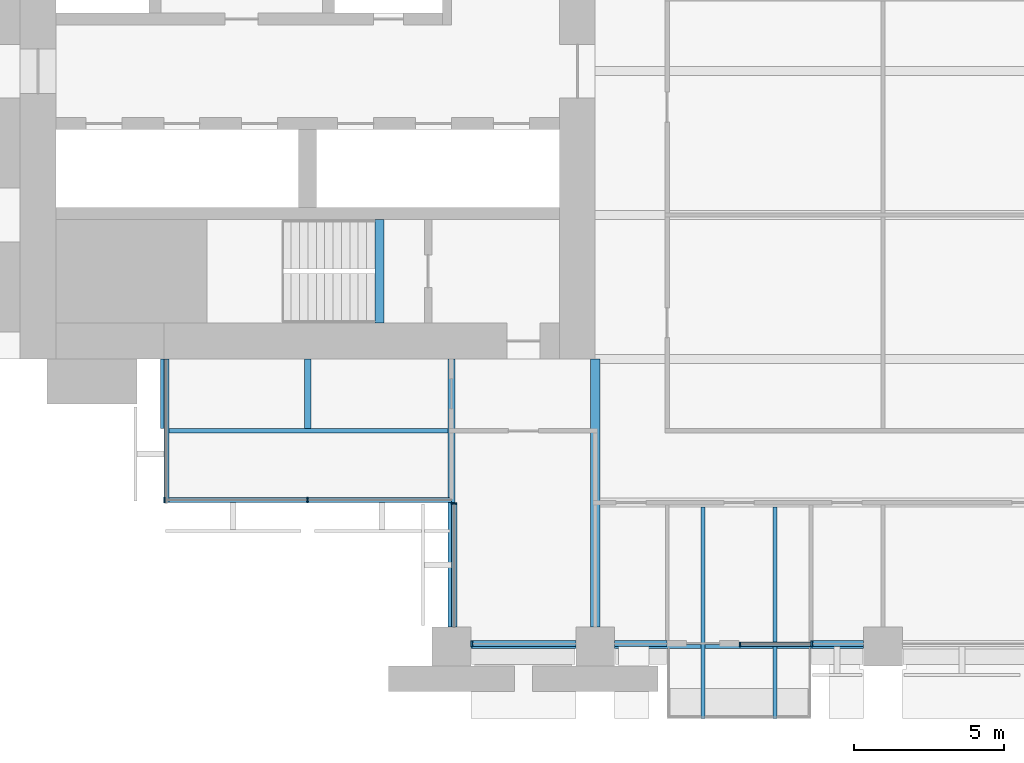
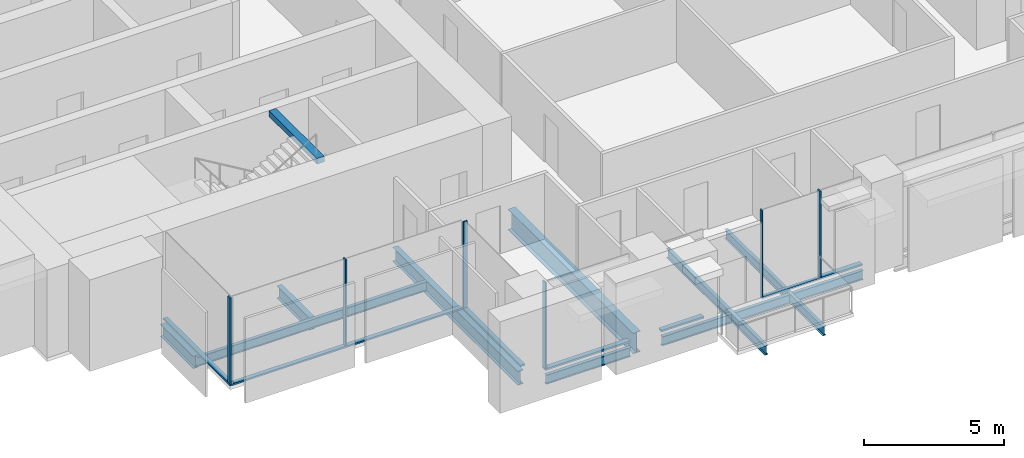
# One storey, part 2 of 15: 13 members, 12 beams, 6 elements without a shape of their own.
"""IFC4 building model written with IfcOpenShell, lengths in metres."""

import ifcopenshell
import ifcopenshell.guid

model = None  # the IFC model being written
_history = None  # IfcOwnerHistory: only IFC2X3 demands one
_inside = {}  # id of a spatial element -> (the spatial element, [elements in it])
_under = {}  # id of a project, library or spatial element -> (it, [spatial elements below it])
_declared = {}  # id of a project -> (the project, [libraries it declares])
_typed = {}  # id of a type object -> (the type object, [elements of that type])
_made_of = {}  # id of a material, layer set ... -> (it, [elements and type objects made of it])


def new_model(schema):
    """Start an empty IFC model of exactly this schema.

    Asked for "IFC4X3", IfcOpenShell would pick the latest addendum, in which some entities
    have other attributes; the version numbers below select the first issue.
    IFC2X3 requires an IfcOwnerHistory on every rooted entity: one is made here for all.
    """
    global model, _history
    if schema == "IFC4X3":
        model = ifcopenshell.file(schema_version=(4, 3, 0, 0))
    else:
        model = ifcopenshell.file(schema=schema)
    _inside.clear()
    _under.clear()
    _declared.clear()
    _typed.clear()
    _made_of.clear()
    _history = None
    if model.schema == "IFC2X3":
        org = make("IfcOrganization", Name="unknown")
        user = make(
            "IfcPersonAndOrganization",
            ThePerson=make("IfcPerson", FamilyName="unknown"),
            TheOrganization=org,
        )
        app = make(
            "IfcApplication",
            ApplicationDeveloper=org,
            Version="unknown",
            ApplicationFullName="unknown",
            ApplicationIdentifier="unknown",
        )
        _history = make(
            "IfcOwnerHistory",
            OwningUser=user,
            OwningApplication=app,
            ChangeAction="ADDED",
            CreationDate=0,
        )
    return model


def make(cls, **values):
    """One entity of the class cls with the attributes given. An attribute that is None is left unset."""
    return model.create_entity(
        cls, **{name: value for name, value in values.items() if value is not None}
    )


def rooted(cls, **values):
    """An entity with a GlobalId (a new one), such as an element, a storey or a relation."""
    return make(cls, GlobalId=ifcopenshell.guid.new(), OwnerHistory=_history, **values)


def si_unit(unit_type, name, prefix=None):
    """IfcSIUnit, for example si_unit("LENGTHUNIT", "METRE", prefix="MILLI")."""
    return make("IfcSIUnit", UnitType=unit_type, Prefix=prefix, Name=name)


def assignment(units):
    """IfcUnitAssignment: the units of a project."""
    return None if units is None else make("IfcUnitAssignment", Units=units)


def point(xyz):
    """IfcCartesianPoint."""
    return None if xyz is None else make("IfcCartesianPoint", Coordinates=xyz)


def direction(xyz):
    """IfcDirection."""
    return None if xyz is None else make("IfcDirection", DirectionRatios=xyz)


def frame(location, z_axis=None, x_axis=None):
    """IfcAxis2Placement3D, a coordinate frame: its origin and axes. An axis left out is left unset."""
    return make(
        "IfcAxis2Placement3D",
        Location=point(location),
        Axis=direction(z_axis),
        RefDirection=direction(x_axis),
    )


def frame_2d(location, x_axis=None):
    """IfcAxis2Placement2D, a coordinate frame in the plane: its origin and x axis."""
    return make(
        "IfcAxis2Placement2D", Location=point(location), RefDirection=direction(x_axis)
    )


def origin():
    """The frame at (0, 0, 0) with its axes left unset."""
    return frame((0.0, 0.0, 0.0))


def origin_2d():
    """The frame at (0, 0) in the plane with its x axis left unset."""
    return frame_2d((0.0, 0.0))


def place(relative_to, where):
    """IfcLocalPlacement: puts the frame where relative to a parent placement (None: the world)."""
    return make(
        "IfcLocalPlacement", PlacementRelTo=relative_to, RelativePlacement=where
    )


def context(
    kind, dimensions, precision=None, world=None, true_north=None, identifier=None
):
    """IfcGeometricRepresentationContext, for example the 3D "Model" context."""
    return make(
        "IfcGeometricRepresentationContext",
        ContextIdentifier=identifier,
        ContextType=kind,
        CoordinateSpaceDimension=dimensions,
        Precision=precision,
        WorldCoordinateSystem=world,
        TrueNorth=true_north,
    )


def subcontext(parent, identifier, kind, view, scale=None):
    """IfcGeometricRepresentationSubContext, for example "Body" below "Model"."""
    return make(
        "IfcGeometricRepresentationSubContext",
        ContextIdentifier=identifier,
        ContextType=kind,
        ParentContext=parent,
        TargetScale=scale,
        TargetView=view,
    )


def project(units=None, contexts=None):
    """IfcProject with its units and contexts."""
    return rooted(
        "IfcProject",
        Name="project",
        RepresentationContexts=contexts,
        UnitsInContext=assignment(units),
    )


def spatial(cls, under=None, at=None, **own):
    """A site, building, storey or space (cls), placed at a placement, below another one or the project."""
    s = rooted(cls, ObjectPlacement=at, **own)
    if under is not None:
        _under.setdefault(under.id(), (under, []))[1].append(s)
    return s


def profile(cls, at=None, kind="AREA", **sizes):
    """A parametric profile (cls). Its sizes go by their IFC names, for example OverallWidth=200.0."""
    return make(cls, ProfileType=kind, Position=at, **sizes)


def rectangle(**sizes):
    """IfcRectangleProfileDef."""
    return profile("IfcRectangleProfileDef", **sizes)


def i_section(**sizes):
    """IfcIShapeProfileDef."""
    return profile("IfcIShapeProfileDef", **sizes)


def extrude(swept, where, along, depth):
    """IfcExtrudedAreaSolid: the profile swept, set in the frame where, extruded along a direction by depth."""
    return make(
        "IfcExtrudedAreaSolid",
        SweptArea=swept,
        Position=where,
        ExtrudedDirection=direction(along),
        Depth=depth,
    )


def shape(context_of_items, identifier, shape_type, items):
    """IfcShapeRepresentation: the items that make up one representation, for example the "Body"."""
    return make(
        "IfcShapeRepresentation",
        ContextOfItems=context_of_items,
        RepresentationIdentifier=identifier,
        RepresentationType=shape_type,
        Items=items,
    )


def material(Name=None, Category=None):
    """IfcMaterial."""
    return make("IfcMaterial", Name=Name, Category=Category)


def material_profile(
    of_material, cross_section, Name=None, Category=None, Priority=None
):
    """IfcMaterialProfile: a cross section and its material."""
    return make(
        "IfcMaterialProfile",
        Name=Name,
        Material=of_material,
        Profile=cross_section,
        Priority=Priority,
        Category=Category,
    )


def profile_set(profiles, Name=None, composite=None):
    """IfcMaterialProfileSet."""
    return make(
        "IfcMaterialProfileSet",
        Name=Name,
        MaterialProfiles=profiles,
        CompositeProfile=composite,
    )


def made_of(thing, what):
    """Note that an element or type object is made of a material, layer set ...; save() writes the relation."""
    if what is not None:
        _made_of.setdefault(what.id(), (what, []))[1].append(thing)
    return thing


def type_object(cls, material=None, **own):
    """A type object (cls), such as IfcWallType, which elements share."""
    return made_of(rooted(cls, **own), material)


def element(
    cls,
    number,
    at=None,
    inside=None,
    cuts=None,
    type_object=None,
    material=None,
    context=None,
    identifier="Body",
    shape_type=None,
    held_by="IfcProductDefinitionShape",
    body=None,
    shapes=None,
    **own,
):
    """One element of the class cls, such as IfcWall. Its Tag is "e" and its number.

    at: its placement. inside: the storey or other place that contains it. cuts: it is an
    opening in that element (IfcRelVoidsElement). A single representation is given by context,
    identifier, shape_type and body (its items); several are given by shapes. held_by: the class
    of the entity that holds the representations. save() writes the other relations.
    """
    e = rooted(cls, Tag="e%d" % number, ObjectPlacement=at, **own)
    if body is not None:
        shapes = [shape(context, identifier, shape_type, body)]
    if shapes is not None:
        e.Representation = make(held_by, Representations=shapes)
    if inside is not None:
        _inside.setdefault(inside.id(), (inside, []))[1].append(e)
    if cuts is not None:
        rooted(
            "IfcRelVoidsElement", RelatingBuildingElement=cuts, RelatedOpeningElement=e
        )
    if type_object is not None:
        _typed.setdefault(type_object.id(), (type_object, []))[1].append(e)
    return made_of(e, material)


def aggregate(whole, parts):
    """IfcRelAggregates: a whole, such as a stair, and the parts it consists of."""
    return rooted("IfcRelAggregates", RelatingObject=whole, RelatedObjects=parts)


def save(model, path):
    """Write the relations noted so far, then the file.

    IfcRelAggregates (storeys below a building ...), IfcRelContainedInSpatialStructure (elements
    in a storey), IfcRelDefinesByType, IfcRelAssociatesMaterial and IfcRelDeclares: one each for
    every whole, place, type object, material and project.
    """
    for whole, parts in _under.values():
        aggregate(whole, parts)
    for where, things in _inside.values():
        rooted(
            "IfcRelContainedInSpatialStructure",
            RelatedElements=things,
            RelatingStructure=where,
        )
    for kind, things in _typed.values():
        rooted("IfcRelDefinesByType", RelatedObjects=things, RelatingType=kind)
    for what, things in _made_of.values():
        rooted("IfcRelAssociatesMaterial", RelatedObjects=things, RelatingMaterial=what)
    for by, libraries in _declared.values():
        rooted("IfcRelDeclares", RelatingContext=by, RelatedDefinitions=libraries)
    model.write(path)


model = new_model("IFC4")

# Units and contexts
model_context = context("Model", 3, precision=1e-05, world=origin(), true_north=direction((0.0, 1.0)))
body_context = subcontext(model_context, "Body", "Model", "MODEL_VIEW")
ifc_project = project(units=[si_unit("LENGTHUNIT", "METRE"), si_unit("AREAUNIT", "SQUARE_METRE"), si_unit("VOLUMEUNIT", "CUBIC_METRE"), si_unit("PLANEANGLEUNIT", "RADIAN"), si_unit("MASSUNIT", "GRAM", prefix="KILO")], contexts=[model_context])

# Site, building, storey
site_placement = place(None, origin())
site = spatial("IfcSite", under=ifc_project, at=site_placement, CompositionType="ELEMENT")
building_placement = place(site_placement, origin())
building = spatial("IfcBuilding", under=site, at=building_placement, Name="Baori Bourse Tower", CompositionType="ELEMENT")
storey_placement = place(building_placement, frame((0.0, 0.0, 71.0)))
storey = spatial("IfcBuildingStorey", under=building, at=storey_placement, Name="L15", CompositionType="ELEMENT", Elevation=71.0)

# Beams
ifc_material_1 = material(Name="Steel A992 Gr 50", Category="steel")
ifc_material_profile_1 = material_profile(ifc_material_1, i_section(OverallWidth=0.140380859375, OverallDepth=0.40380859375, WebThickness=0.007080078125, FlangeThickness=0.01123046875, at=origin_2d()), Name="W16x31")
ifc_profile_set_1 = profile_set([ifc_material_profile_1], Name="Steel A992 Gr 50")
beam_type_1 = type_object("IfcBeamType", Name="Balcony beam W16x31", PredefinedType="BEAM", material=ifc_profile_set_1)
for number, where, z_axis, x_axis, name in (
    (1, (22.800048828125, -2.39990234375, -0.36181640625), (0.0, 1.0, 0.0), (-1.0, 0.0, 0.0), "Balcony beam L15"),
    (2, (25.199951171875, -2.39990234375, -0.36181640625), (0.0, 1.0, 0.0), (-1.0, 0.0, 0.0), "Balcony beam L15"),
):
    element("IfcBeam", number, at=place(storey_placement, frame(where, z_axis=z_axis, x_axis=x_axis)), inside=storey, type_object=beam_type_1, Name=name, PredefinedType="BEAM", context=body_context, shape_type="SweptSolid", body=[
        extrude(i_section(OverallWidth=0.140380859375, OverallDepth=0.40380859375, WebThickness=0.007080078125, FlangeThickness=0.01123046875, at=origin_2d()), origin(), (0.0, 0.0, 1.0), 7.050048828125),
    ])

# Curtain wall, member
ifc_material_2 = material(Name="Pale anodised aluminium", Category="aluminium")
curtain_wall_type_1 = type_object("IfcCurtainWallType", Name="CW1 Curtain wall", PredefinedType="NOTDEFINED", material=ifc_material_2)
curtain_wall_1_placement = place(storey_placement, origin())
curtain_wall_1 = element("IfcCurtainWall", 3, at=curtain_wall_1_placement, inside=storey, type_object=curtain_wall_type_1, Name="Curtain wall CW1 L15 13", PredefinedType="NOTDEFINED")
ifc_material_3 = material(Name="Pale anodised aluminium", Category="aluminium")
ifc_material_profile_2 = material_profile(ifc_material_3, rectangle(XDim=0.199951171875, YDim=0.06005859375, at=origin_2d()), Name="Mullion 60x200")
ifc_profile_set_2 = profile_set([ifc_material_profile_2], Name="Pale anodised aluminium")
member_type_1 = type_object("IfcMemberType", Name="CW1 Curtain wall mullion", PredefinedType="MULLION", material=ifc_profile_set_2)
member_1_placement = place(storey_placement, frame((15.080078125, 0.10009765625, 0.080078125), z_axis=(0.0, 0.0, 1.0), x_axis=(0.0, 1.0, 0.0)))
member_1 = element("IfcMember", 4, at=member_1_placement, type_object=member_type_1, Name="Curtain wall CW1 mullion", PredefinedType="MULLION", context=body_context, shape_type="SweptSolid", body=[
    extrude(rectangle(XDim=0.199951171875, YDim=0.06005859375, at=origin_2d()), origin(), (0.0, 0.0, 1.0), 3.760009765625),
])

curtain_wall_2_placement = place(storey_placement, origin())
curtain_wall_2 = element("IfcCurtainWall", 5, at=curtain_wall_2_placement, inside=storey, type_object=curtain_wall_type_1, Name="Curtain wall CW1 L15 15", PredefinedType="NOTDEFINED")
member_2_placement = place(storey_placement, frame((26.429931640625, 0.10009765625, 0.080078125), z_axis=(0.0, 0.0, 1.0), x_axis=(0.0, 1.0, 0.0)))
member_2 = element("IfcMember", 6, at=member_2_placement, type_object=member_type_1, Name="Curtain wall CW1 mullion", PredefinedType="MULLION", context=body_context, shape_type="SweptSolid", body=[
    extrude(rectangle(XDim=0.199951171875, YDim=0.06005859375, at=origin_2d()), origin(), (0.0, 0.0, 1.0), 3.760009765625),
])

# Member
ifc_material_4 = material(Name="Pale anodised aluminium", Category="aluminium")
ifc_material_profile_3 = material_profile(ifc_material_4, rectangle(XDim=0.199951171875, YDim=0.080078125, at=origin_2d()), Name="Transom 80x200")
ifc_profile_set_3 = profile_set([ifc_material_profile_3], Name="Pale anodised aluminium")
member_type_2 = type_object("IfcMemberType", Name="CW1 Curtain wall transom", PredefinedType="USERDEFINED", material=ifc_profile_set_3)
member_3_placement = place(storey_placement, frame((15.050048828125, 0.10009765625, 0.0400390625), z_axis=(1.0, 0.0, 0.0), x_axis=(0.0, 1.0, 0.0)))
member_3 = element("IfcMember", 7, at=member_3_placement, type_object=member_type_2, Name="Curtain wall CW1 sill rail", ObjectType="TRANSOM", PredefinedType="USERDEFINED", context=body_context, shape_type="SweptSolid", body=[
    extrude(rectangle(XDim=0.199951171875, YDim=0.080078125, at=origin_2d()), origin(), (0.0, 0.0, 1.0), 3.5),
])

member_4_placement = place(storey_placement, frame((19.85009765625, 0.10009765625, 0.0400390625), z_axis=(1.0, 0.0, 0.0), x_axis=(0.0, 1.0, 0.0)))
member_4 = element("IfcMember", 8, at=member_4_placement, type_object=member_type_2, Name="Curtain wall CW1 sill rail", ObjectType="TRANSOM", PredefinedType="USERDEFINED", context=body_context, shape_type="SweptSolid", body=[
    extrude(rectangle(XDim=0.199951171875, YDim=0.080078125, at=origin_2d()), origin(), (0.0, 0.0, 1.0), 1.75),
])

aggregate(curtain_wall_1, [member_3, member_1, member_4])

member_5_placement = place(storey_placement, frame((26.39990234375, 0.10009765625, 0.0400390625), z_axis=(1.0, 0.0, 0.0), x_axis=(0.0, 1.0, 0.0)))
member_5 = element("IfcMember", 9, at=member_5_placement, type_object=member_type_2, Name="Curtain wall CW1 sill rail", ObjectType="TRANSOM", PredefinedType="USERDEFINED", context=body_context, shape_type="SweptSolid", body=[
    extrude(rectangle(XDim=0.199951171875, YDim=0.080078125, at=origin_2d()), origin(), (0.0, 0.0, 1.0), 1.75),
])

aggregate(curtain_wall_2, [member_5, member_2])

# Curtain wall, members
ifc_material_5 = material(Name="Pale anodised aluminium", Category="aluminium")
curtain_wall_type_2 = type_object("IfcCurtainWallType", Name="CW2 Curtain wall", PredefinedType="NOTDEFINED", material=ifc_material_5)
curtain_wall_3_placement = place(storey_placement, origin())
curtain_wall_3 = element("IfcCurtainWall", 10, at=curtain_wall_3_placement, inside=storey, type_object=curtain_wall_type_2, Name="Curtain wall CW2 L15 11", PredefinedType="NOTDEFINED")
ifc_material_6 = material(Name="Pale anodised aluminium", Category="aluminium")
ifc_material_profile_4 = material_profile(ifc_material_6, rectangle(XDim=0.179931640625, YDim=0.054931640625, at=origin_2d()), Name="Mullion 55x180")
ifc_profile_set_4 = profile_set([ifc_material_profile_4], Name="Pale anodised aluminium")
member_type_3 = type_object("IfcMemberType", Name="CW2 Curtain wall mullion", PredefinedType="MULLION", material=ifc_profile_set_4)
member_6_placement = place(storey_placement, frame((4.827392578125, 4.889892578125, 0.070068359375), z_axis=(0.0, 0.0, 1.0), x_axis=(0.0, 1.0, 0.0)))
member_6 = element("IfcMember", 11, at=member_6_placement, type_object=member_type_3, Name="Curtain wall CW2 mullion", PredefinedType="MULLION", context=body_context, shape_type="SweptSolid", body=[
    extrude(rectangle(XDim=0.179931640625, YDim=0.054931640625, at=origin_2d()), origin(), (0.0, 0.0, 1.0), 3.77001953125),
])
member_7_placement = place(storey_placement, frame((9.60009765625, 4.889892578125, 0.070068359375), z_axis=(0.0, 0.0, 1.0), x_axis=(0.0, 1.0, 0.0)))
member_7 = element("IfcMember", 12, at=member_7_placement, type_object=member_type_3, Name="Curtain wall CW2 mullion", PredefinedType="MULLION", context=body_context, shape_type="SweptSolid", body=[
    extrude(rectangle(XDim=0.179931640625, YDim=0.054931640625, at=origin_2d()), origin(), (0.0, 0.0, 1.0), 3.77001953125),
])

# Curtain wall, member
curtain_wall_4_placement = place(storey_placement, origin())
curtain_wall_4 = element("IfcCurtainWall", 13, at=curtain_wall_4_placement, inside=storey, type_object=curtain_wall_type_2, Name="Curtain wall CW2 L15 12", PredefinedType="NOTDEFINED")
member_8_placement = place(storey_placement, frame((14.489990234375, 4.7724609375, 0.070068359375), z_axis=(0.0, 0.0, 1.0), x_axis=(1.0, 0.0, 0.0)))
member_8 = element("IfcMember", 14, at=member_8_placement, type_object=member_type_3, Name="Curtain wall CW2 mullion", PredefinedType="MULLION", context=body_context, shape_type="SweptSolid", body=[
    extrude(rectangle(XDim=0.179931640625, YDim=0.054931640625, at=origin_2d()), origin(), (0.0, 0.0, 1.0), 3.77001953125),
])

curtain_wall_5_placement = place(storey_placement, origin())
curtain_wall_5 = element("IfcCurtainWall", 15, at=curtain_wall_5_placement, inside=storey, type_object=curtain_wall_type_2, Name="Curtain wall CW2 L15 10", PredefinedType="NOTDEFINED")
ifc_material_7 = material(Name="Pale anodised aluminium", Category="aluminium")
ifc_material_profile_5 = material_profile(ifc_material_7, rectangle(XDim=0.179931640625, YDim=0.070068359375, at=origin_2d()), Name="Transom 70x180")
ifc_profile_set_5 = profile_set([ifc_material_profile_5], Name="Pale anodised aluminium")
member_type_4 = type_object("IfcMemberType", Name="CW2 Curtain wall transom", PredefinedType="USERDEFINED", material=ifc_profile_set_5)
member_9_placement = place(storey_placement, frame((4.889892578125, 9.60009765625, 0.034912109375), z_axis=(0.0, -1.0, 0.0), x_axis=(1.0, 0.0, 0.0)))
member_9 = element("IfcMember", 16, at=member_9_placement, type_object=member_type_4, Name="Curtain wall CW2 sill rail", ObjectType="TRANSOM", PredefinedType="USERDEFINED", context=body_context, shape_type="SweptSolid", body=[
    extrude(rectangle(XDim=0.179931640625, YDim=0.070068359375, at=origin_2d()), origin(), (0.0, 0.0, 1.0), 4.800048828125),
])
aggregate(curtain_wall_5, [member_9])

# Member
member_10_placement = place(storey_placement, frame((4.800048828125, 4.889892578125, 0.034912109375), z_axis=(1.0, 0.0, 0.0), x_axis=(0.0, 1.0, 0.0)))
member_10 = element("IfcMember", 17, at=member_10_placement, type_object=member_type_4, Name="Curtain wall CW2 sill rail", ObjectType="TRANSOM", PredefinedType="USERDEFINED", context=body_context, shape_type="SweptSolid", body=[
    extrude(rectangle(XDim=0.179931640625, YDim=0.070068359375, at=origin_2d()), origin(), (0.0, 0.0, 1.0), 9.599853515625),
])

aggregate(curtain_wall_3, [member_10, member_6, member_7])

member_11_placement = place(storey_placement, frame((14.489990234375, 4.800048828125, 0.034912109375), z_axis=(0.0, -1.0, 0.0), x_axis=(1.0, 0.0, 0.0)))
member_11 = element("IfcMember", 18, at=member_11_placement, type_object=member_type_4, Name="Curtain wall CW2 sill rail", ObjectType="TRANSOM", PredefinedType="USERDEFINED", context=body_context, shape_type="SweptSolid", body=[
    extrude(rectangle(XDim=0.179931640625, YDim=0.070068359375, at=origin_2d()), origin(), (0.0, 0.0, 1.0), 4.150146484375),
])

aggregate(curtain_wall_4, [member_11, member_8])

# Curtain wall, members
ifc_material_8 = material(Name="Pale anodised aluminium", Category="aluminium")
curtain_wall_type_3 = type_object("IfcCurtainWallType", Name="CW6 Curtain wall", PredefinedType="NOTDEFINED", material=ifc_material_8)
curtain_wall_6_placement = place(storey_placement, origin())
curtain_wall_6 = element("IfcCurtainWall", 19, at=curtain_wall_6_placement, inside=storey, type_object=curtain_wall_type_3, Name="Curtain wall CW6 L15 14", PredefinedType="NOTDEFINED")
ifc_material_9 = material(Name="Pale anodised aluminium", Category="aluminium")
ifc_material_profile_6 = material_profile(ifc_material_9, rectangle(XDim=0.14990234375, YDim=0.050048828125, at=origin_2d()), Name="Mullion 50x150")
ifc_profile_set_6 = profile_set([ifc_material_profile_6], Name="Pale anodised aluminium")
member_type_5 = type_object("IfcMemberType", Name="CW6 Curtain wall mullion", PredefinedType="MULLION", material=ifc_profile_set_6)
member_12_placement = place(storey_placement, frame((24.02490234375, 0.074951171875, 0.06494140625), z_axis=(0.0, 0.0, 1.0), x_axis=(0.0, 1.0, 0.0)))
member_12 = element("IfcMember", 20, at=member_12_placement, type_object=member_type_5, Name="Curtain wall CW6 mullion", PredefinedType="MULLION", context=body_context, shape_type="SweptSolid", body=[
    extrude(rectangle(XDim=0.14990234375, YDim=0.050048828125, at=origin_2d()), origin(), (0.0, 0.0, 1.0), 3.775146484375),
])
ifc_material_10 = material(Name="Pale anodised aluminium", Category="aluminium")
ifc_material_profile_7 = material_profile(ifc_material_10, rectangle(XDim=0.14990234375, YDim=0.06494140625, at=origin_2d()), Name="Transom 65x150")
ifc_profile_set_7 = profile_set([ifc_material_profile_7], Name="Pale anodised aluminium")
member_type_6 = type_object("IfcMemberType", Name="CW6 Curtain wall transom", PredefinedType="USERDEFINED", material=ifc_profile_set_7)
member_13_placement = place(storey_placement, frame((24.0, 0.074951171875, 0.032470703125), z_axis=(1.0, 0.0, 0.0), x_axis=(0.0, 1.0, 0.0)))
member_13 = element("IfcMember", 21, at=member_13_placement, type_object=member_type_6, Name="Curtain wall CW6 sill rail", ObjectType="TRANSOM", PredefinedType="USERDEFINED", context=body_context, shape_type="SweptSolid", body=[
    extrude(rectangle(XDim=0.14990234375, YDim=0.06494140625, at=origin_2d()), origin(), (0.0, 0.0, 1.0), 2.39990234375),
])
aggregate(curtain_wall_6, [member_13, member_12])

# Beams
ifc_material_11 = material(Name="Steel A992 Gr 50", Category="steel")
ifc_material_profile_8 = material_profile(ifc_material_11, i_section(OverallWidth=0.21240234375, OverallDepth=0.54345703125, WebThickness=0.01318359375, FlangeThickness=0.021240234375, at=origin_2d()), Name="W21x83")
ifc_profile_set_8 = profile_set([ifc_material_profile_8], Name="Steel A992 Gr 50")
beam_type_2 = type_object("IfcBeamType", Name="Core bracket W21x83", PredefinedType="BEAM", material=ifc_profile_set_8)
for number, where, z_axis, x_axis, name in (
    (22, (4.800048828125, 7.270263671875, -0.431884765625), (0.0, 1.0, 0.0), (-1.0, 0.0, 0.0), "Core bracket L15"),
    (23, (9.60009765625, 7.270263671875, -0.431884765625), (0.0, 1.0, 0.0), (-1.0, 0.0, 0.0), "Core bracket L15"),
):
    element("IfcBeam", number, at=place(storey_placement, frame(where, z_axis=z_axis, x_axis=x_axis)), inside=storey, type_object=beam_type_2, Name=name, PredefinedType="BEAM", context=body_context, shape_type="SweptSolid", body=[
        extrude(i_section(OverallWidth=0.21240234375, OverallDepth=0.54345703125, WebThickness=0.01318359375, FlangeThickness=0.021240234375, at=origin_2d()), origin(), (0.0, 0.0, 1.0), 2.329833984375),
    ])
ifc_material_12 = material(Name="Steel A992 Gr 50", Category="steel")
ifc_material_profile_9 = material_profile(ifc_material_12, i_section(OverallWidth=0.140380859375, OverallDepth=0.40380859375, WebThickness=0.007080078125, FlangeThickness=0.01123046875, at=origin_2d()), Name="W16x31")
ifc_profile_set_9 = profile_set([ifc_material_profile_9], Name="Steel A992 Gr 50")
beam_type_3 = type_object("IfcBeamType", Name="Edge beam W16x31", PredefinedType="BEAM", material=ifc_profile_set_9)
beam_1_placement = place(storey_placement, frame((15.050048828125, 0.0, -0.36181640625), z_axis=(1.0, 0.0, 0.0), x_axis=(0.0, 1.0, 0.0)))
element("IfcBeam", 24, at=beam_1_placement, inside=storey, type_object=beam_type_3, Name="Edge beam L15", PredefinedType="BEAM", context=body_context, shape_type="SweptSolid", body=[
    extrude(i_section(OverallWidth=0.140380859375, OverallDepth=0.40380859375, WebThickness=0.007080078125, FlangeThickness=0.01123046875, at=origin_2d()), origin(), (0.0, 0.0, 1.0), 3.5),
])
beam_2_placement = place(storey_placement, frame((19.85009765625, 0.0, -0.36181640625), z_axis=(1.0, 0.0, 0.0), x_axis=(0.0, 1.0, 0.0)))
element("IfcBeam", 25, at=beam_2_placement, inside=storey, type_object=beam_type_3, Name="Edge beam L15", PredefinedType="BEAM", context=body_context, shape_type="SweptSolid", body=[
    extrude(i_section(OverallWidth=0.140380859375, OverallDepth=0.40380859375, WebThickness=0.007080078125, FlangeThickness=0.01123046875, at=origin_2d()), origin(), (0.0, 0.0, 1.0), 2.879638671875),
])
beam_3_placement = place(storey_placement, frame((22.8701171875, 0.0, -0.36181640625), z_axis=(1.0, 0.0, 0.0), x_axis=(0.0, 1.0, 0.0)))
element("IfcBeam", 26, at=beam_3_placement, inside=storey, type_object=beam_type_3, Name="Edge beam L15", PredefinedType="BEAM", context=body_context, shape_type="SweptSolid", body=[
    extrude(i_section(OverallWidth=0.140380859375, OverallDepth=0.40380859375, WebThickness=0.007080078125, FlangeThickness=0.01123046875, at=origin_2d()), origin(), (0.0, 0.0, 1.0), 2.259765625),
])
beam_4_placement = place(storey_placement, frame((25.270263671875, 0.0, -0.36181640625), z_axis=(1.0, 0.0, 0.0), x_axis=(0.0, 1.0, 0.0)))
element("IfcBeam", 27, at=beam_4_placement, inside=storey, type_object=beam_type_3, Name="Edge beam L15", PredefinedType="BEAM", context=body_context, shape_type="SweptSolid", body=[
    extrude(i_section(OverallWidth=0.140380859375, OverallDepth=0.40380859375, WebThickness=0.007080078125, FlangeThickness=0.01123046875, at=origin_2d()), origin(), (0.0, 0.0, 1.0), 2.879638671875),
])
ifc_material_13 = material(Name="Steel A992 Gr 50", Category="steel")
ifc_material_profile_10 = material_profile(ifc_material_13, i_section(OverallWidth=0.22900390625, OverallDepth=0.612060546875, WebThickness=0.011962890625, FlangeThickness=0.01953125, at=origin_2d()), Name="W24x84")
ifc_profile_set_10 = profile_set([ifc_material_profile_10], Name="Steel A992 Gr 50")
beam_type_4 = type_object("IfcBeamType", Name="Floor beam W24x84", PredefinedType="BEAM", material=ifc_profile_set_10)
beam_5_placement = place(storey_placement, frame((14.39990234375, 0.64990234375, -0.466064453125), z_axis=(0.0, 1.0, 0.0), x_axis=(-1.0, 0.0, 0.0)))
element("IfcBeam", 28, at=beam_5_placement, inside=storey, type_object=beam_type_4, Name="Floor beam L15", PredefinedType="BEAM", context=body_context, shape_type="SweptSolid", body=[
    extrude(i_section(OverallWidth=0.22900390625, OverallDepth=0.612060546875, WebThickness=0.011962890625, FlangeThickness=0.01953125, at=origin_2d()), origin(), (0.0, 0.0, 1.0), 8.9501953125),
])
ifc_material_14 = material(Name="Steel A992 Gr 50", Category="steel")
ifc_material_profile_11 = material_profile(ifc_material_14, i_section(OverallWidth=0.3046875, OverallDepth=0.904296875, WebThickness=0.01513671875, FlangeThickness=0.02001953125, at=origin_2d()), Name="W36x135")
ifc_profile_set_11 = profile_set([ifc_material_profile_11], Name="Steel A992 Gr 50")
beam_type_5 = type_object("IfcBeamType", Name="Girder W36x135", PredefinedType="BEAM", material=ifc_profile_set_11)
beam_6_placement = place(storey_placement, frame((19.199951171875, 0.64990234375, -0.612060546875), z_axis=(0.0, 1.0, 0.0), x_axis=(-1.0, 0.0, 0.0)))
element("IfcBeam", 29, at=beam_6_placement, inside=storey, type_object=beam_type_5, Name="Girder L15", PredefinedType="BEAM", context=body_context, shape_type="SweptSolid", body=[
    extrude(i_section(OverallWidth=0.3046875, OverallDepth=0.904296875, WebThickness=0.01513671875, FlangeThickness=0.02001953125, at=origin_2d()), origin(), (0.0, 0.0, 1.0), 8.9501953125),
])
ifc_material_15 = material(Name="Concrete f'c 50 MPa", Category="concrete")
ifc_material_profile_12 = material_profile(ifc_material_15, rectangle(XDim=0.300048828125, YDim=0.25, at=origin_2d()), Name="RC 300x250")
ifc_profile_set_12 = profile_set([ifc_material_profile_12], Name="Concrete f'c 50 MPa")
beam_type_6 = type_object("IfcBeamType", Name="Stair nib beam RC 300x250", PredefinedType="BEAM", material=ifc_profile_set_12)
beam_7_placement = place(storey_placement, frame((12.0, 10.800048828125, 3.715087890625), z_axis=(0.0, 1.0, 0.0), x_axis=(-1.0, 0.0, 0.0)))
element("IfcBeam", 30, at=beam_7_placement, inside=storey, type_object=beam_type_6, Name="Stair WA nib beam L16", PredefinedType="BEAM", context=body_context, shape_type="SweptSolid", body=[
    extrude(rectangle(XDim=0.300048828125, YDim=0.25, at=origin_2d()), origin(), (0.0, 0.0, 1.0), 3.449951171875),
])
ifc_material_16 = material(Name="Steel A992 Gr 50", Category="steel")
ifc_material_profile_13 = material_profile(ifc_material_16, i_section(OverallWidth=0.140380859375, OverallDepth=0.40380859375, WebThickness=0.007080078125, FlangeThickness=0.01123046875, at=origin_2d()), Name="W16x31")
ifc_profile_set_13 = profile_set([ifc_material_profile_13], Name="Steel A992 Gr 50")
beam_type_7 = type_object("IfcBeamType", Name="Trimmer beam W16x31", PredefinedType="BEAM", material=ifc_profile_set_13)
beam_8_placement = place(storey_placement, frame((4.800048828125, 7.199951171875, -0.36181640625), z_axis=(1.0, 0.0, 0.0), x_axis=(0.0, 1.0, 0.0)))
element("IfcBeam", 31, at=beam_8_placement, inside=storey, type_object=beam_type_7, Name="Trimmer beam L15", PredefinedType="BEAM", context=body_context, shape_type="SweptSolid", body=[
    extrude(i_section(OverallWidth=0.140380859375, OverallDepth=0.40380859375, WebThickness=0.007080078125, FlangeThickness=0.01123046875, at=origin_2d()), origin(), (0.0, 0.0, 1.0), 9.4853515625),
])

save(model, "model.ifc")
